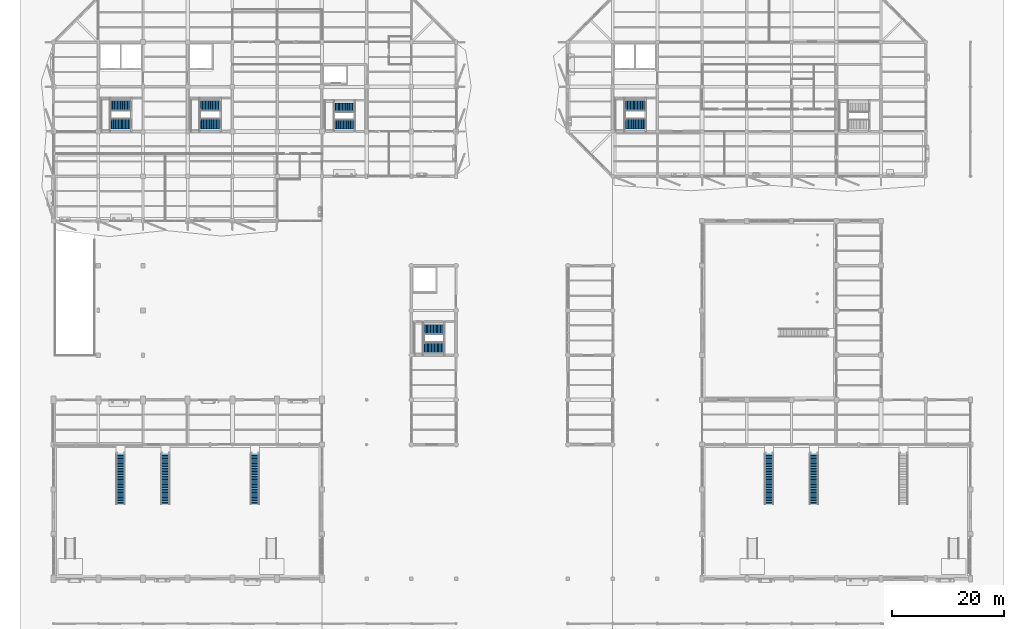
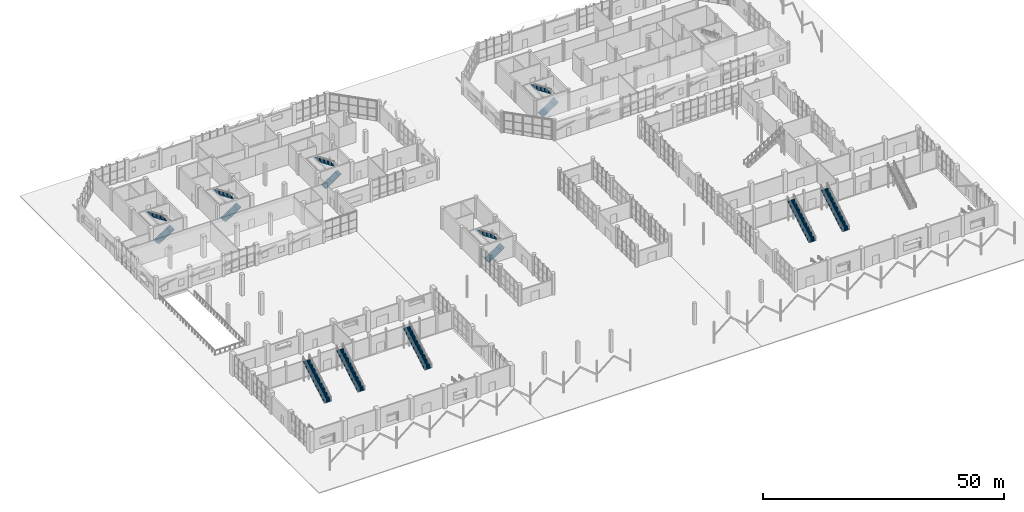
# One storey, part 106 of 123: 15 stair flights, 10 elements without a shape of their own.
"""IFC4 building model written with IfcOpenShell, lengths in metres."""

from ifc_helpers import new_model, si_unit, direction, frame, origin, place, context, subcontext, project, spatial, polyline, outline, extrude, material, type_object, element, aggregate, save


model = new_model("IFC4")

# Units and contexts
model_context = context("Model", 3, precision=1e-05, world=origin(), true_north=direction((0.0, 1.0)))
body_context = subcontext(model_context, "Body", "Model", "MODEL_VIEW")
ifc_project = project(units=[si_unit("LENGTHUNIT", "METRE"), si_unit("AREAUNIT", "SQUARE_METRE"), si_unit("VOLUMEUNIT", "CUBIC_METRE"), si_unit("PLANEANGLEUNIT", "RADIAN"), si_unit("MASSUNIT", "GRAM", prefix="KILO")], contexts=[model_context])

# Site, building, storey
site_placement = place(None, origin())
site = spatial("IfcSite", under=ifc_project, at=site_placement, CompositionType="ELEMENT")
building_placement = place(site_placement, origin())
building = spatial("IfcBuilding", under=site, at=building_placement, Name="Tenunan Teduh Sports Hall", CompositionType="ELEMENT")
storey_placement = place(building_placement, origin())
storey = spatial("IfcBuildingStorey", under=building, at=storey_placement, Name="L00", CompositionType="ELEMENT", Elevation=0.0)

# Stair, stair flights
ifc_material_1 = material(Name="Precast concrete C40/50", Category="concrete")
stair_type_1 = type_object("IfcStairType", Name="STR-CORE-54", PredefinedType="HALF_TURN_STAIR", material=ifc_material_1)
stair_1_placement = place(storey_placement, origin())
stair_1 = element("IfcStair", 1, at=stair_1_placement, inside=storey, type_object=stair_type_1, Name="STR-W1-L00", PredefinedType="HALF_TURN_STAIR")
ifc_material_2 = material(Name="Precast concrete C40/50", Category="concrete")
stair_flight_type_1 = type_object("IfcStairFlightType", Name="SFL-ST-T01", PredefinedType="STRAIGHT", material=ifc_material_2)
stair_flight_1_placement = place(storey_placement, frame((16.080078125, 95.409912109375, 0.0), z_axis=(0.0, 0.0, 1.0), x_axis=(1.0, 0.0, 0.0)))
stair_flight_1 = element("IfcStairFlight", 2, at=stair_flight_1_placement, type_object=stair_flight_type_1, Name="ST-02 flight 1", NumberOfRisers=16, NumberOfTreads=15, PredefinedType="STRAIGHT", RiserHeight=0.16875, TreadLength=0.255, context=body_context, shape_type="SweptSolid", body=[
    extrude(outline(polyline([(0.0, 0.0), (0.0, 0.168701171875), (0.2548828125, 0.168701171875), (0.2548828125, 0.33740234375), (0.510009765625, 0.33740234375), (0.510009765625, 0.50634765625), (0.764892578125, 0.50634765625), (0.764892578125, 0.675048828125), (1.02001953125, 0.675048828125), (1.02001953125, 0.84375), (1.27490234375, 0.84375), (1.27490234375, 1.012451171875), (1.530029296875, 1.012451171875), (1.530029296875, 1.18115234375), (1.784912109375, 1.18115234375), (1.784912109375, 1.35009765625), (2.0400390625, 1.35009765625), (2.0400390625, 1.518798828125), (2.294921875, 1.518798828125), (2.294921875, 1.6875), (2.550048828125, 1.6875), (2.550048828125, 1.856201171875), (2.804931640625, 1.856201171875), (2.804931640625, 2.02490234375), (3.06005859375, 2.02490234375), (3.06005859375, 2.19384765625), (3.31494140625, 2.19384765625), (3.31494140625, 2.362548828125), (3.570068359375, 2.362548828125), (3.570068359375, 2.53125), (3.824951171875, 2.53125), (3.824951171875, 2.699951171875), (3.824951171875, 2.3154296875), (0.325927734375, 0.0), (0.0, 0.0)])), frame((0.0, 0.93017578125, 0.0), z_axis=(0.0, -1.0, 0.0), x_axis=(1.0, 0.0, 0.0)), (0.0, 0.0, 1.0), 1.860107421875),
])
stair_flight_2_placement = place(storey_placement, frame((19.985107421875, 98.590087890625, 2.699951171875), z_axis=(0.0, 0.0, 1.0), x_axis=(-1.0, 0.0, 0.0)))
stair_flight_2 = element("IfcStairFlight", 3, at=stair_flight_2_placement, type_object=stair_flight_type_1, Name="ST-02 flight 2", NumberOfRisers=16, NumberOfTreads=15, PredefinedType="STRAIGHT", RiserHeight=0.16875, TreadLength=0.255, context=body_context, shape_type="SweptSolid", body=[
    extrude(outline(polyline([(0.0, 0.0), (0.0, 0.168701171875), (0.2548828125, 0.168701171875), (0.2548828125, 0.33740234375), (0.510009765625, 0.33740234375), (0.510009765625, 0.50634765625), (0.764892578125, 0.50634765625), (0.764892578125, 0.675048828125), (1.02001953125, 0.675048828125), (1.02001953125, 0.84375), (1.27490234375, 0.84375), (1.27490234375, 1.012451171875), (1.530029296875, 1.012451171875), (1.530029296875, 1.18115234375), (1.784912109375, 1.18115234375), (1.784912109375, 1.35009765625), (2.0400390625, 1.35009765625), (2.0400390625, 1.518798828125), (2.294921875, 1.518798828125), (2.294921875, 1.6875), (2.550048828125, 1.6875), (2.550048828125, 1.856201171875), (2.804931640625, 1.856201171875), (2.804931640625, 2.02490234375), (3.06005859375, 2.02490234375), (3.06005859375, 2.19384765625), (3.31494140625, 2.19384765625), (3.31494140625, 2.362548828125), (3.570068359375, 2.362548828125), (3.570068359375, 2.53125), (3.824951171875, 2.53125), (3.824951171875, 2.699951171875), (3.824951171875, 2.3154296875), (0.325927734375, 0.0), (0.0, 0.0)])), frame((0.0, 0.93017578125, 0.0), z_axis=(0.0, -1.0, 0.0), x_axis=(1.0, 0.0, 0.0)), (0.0, 0.0, 1.0), 1.860107421875),
])
aggregate(stair_1, [stair_flight_1, stair_flight_2])

stair_2_placement = place(storey_placement, origin())
stair_2 = element("IfcStair", 4, at=stair_2_placement, inside=storey, type_object=stair_type_1, Name="STR-W2-L00", PredefinedType="HALF_TURN_STAIR")
stair_flight_3_placement = place(storey_placement, frame((32.080078125, 95.409912109375, 0.0), z_axis=(0.0, 0.0, 1.0), x_axis=(1.0, 0.0, 0.0)))
stair_flight_3 = element("IfcStairFlight", 5, at=stair_flight_3_placement, type_object=stair_flight_type_1, Name="ST-07 flight 1", NumberOfRisers=16, NumberOfTreads=15, PredefinedType="STRAIGHT", RiserHeight=0.16875, TreadLength=0.255, context=body_context, shape_type="SweptSolid", body=[
    extrude(outline(polyline([(0.0, 0.0), (0.0, 0.168701171875), (0.2548828125, 0.168701171875), (0.2548828125, 0.33740234375), (0.510009765625, 0.33740234375), (0.510009765625, 0.50634765625), (0.764892578125, 0.50634765625), (0.764892578125, 0.675048828125), (1.02001953125, 0.675048828125), (1.02001953125, 0.84375), (1.27490234375, 0.84375), (1.27490234375, 1.012451171875), (1.530029296875, 1.012451171875), (1.530029296875, 1.18115234375), (1.784912109375, 1.18115234375), (1.784912109375, 1.35009765625), (2.0400390625, 1.35009765625), (2.0400390625, 1.518798828125), (2.294921875, 1.518798828125), (2.294921875, 1.6875), (2.550048828125, 1.6875), (2.550048828125, 1.856201171875), (2.804931640625, 1.856201171875), (2.804931640625, 2.02490234375), (3.06005859375, 2.02490234375), (3.06005859375, 2.19384765625), (3.31494140625, 2.19384765625), (3.31494140625, 2.362548828125), (3.570068359375, 2.362548828125), (3.570068359375, 2.53125), (3.824951171875, 2.53125), (3.824951171875, 2.699951171875), (3.824951171875, 2.3154296875), (0.325927734375, 0.0), (0.0, 0.0)])), frame((0.0, 0.93017578125, 0.0), z_axis=(0.0, -1.0, 0.0), x_axis=(1.0, 0.0, 0.0)), (0.0, 0.0, 1.0), 1.860107421875),
])
stair_flight_4_placement = place(storey_placement, frame((35.985107421875, 98.590087890625, 2.699951171875), z_axis=(0.0, 0.0, 1.0), x_axis=(-1.0, 0.0, 0.0)))
stair_flight_4 = element("IfcStairFlight", 6, at=stair_flight_4_placement, type_object=stair_flight_type_1, Name="ST-07 flight 2", NumberOfRisers=16, NumberOfTreads=15, PredefinedType="STRAIGHT", RiserHeight=0.16875, TreadLength=0.255, context=body_context, shape_type="SweptSolid", body=[
    extrude(outline(polyline([(0.0, 0.0), (0.0, 0.168701171875), (0.2548828125, 0.168701171875), (0.2548828125, 0.33740234375), (0.510009765625, 0.33740234375), (0.510009765625, 0.50634765625), (0.764892578125, 0.50634765625), (0.764892578125, 0.675048828125), (1.02001953125, 0.675048828125), (1.02001953125, 0.84375), (1.27490234375, 0.84375), (1.27490234375, 1.012451171875), (1.530029296875, 1.012451171875), (1.530029296875, 1.18115234375), (1.784912109375, 1.18115234375), (1.784912109375, 1.35009765625), (2.0400390625, 1.35009765625), (2.0400390625, 1.518798828125), (2.294921875, 1.518798828125), (2.294921875, 1.6875), (2.550048828125, 1.6875), (2.550048828125, 1.856201171875), (2.804931640625, 1.856201171875), (2.804931640625, 2.02490234375), (3.06005859375, 2.02490234375), (3.06005859375, 2.19384765625), (3.31494140625, 2.19384765625), (3.31494140625, 2.362548828125), (3.570068359375, 2.362548828125), (3.570068359375, 2.53125), (3.824951171875, 2.53125), (3.824951171875, 2.699951171875), (3.824951171875, 2.3154296875), (0.325927734375, 0.0), (0.0, 0.0)])), frame((0.0, 0.93017578125, 0.0), z_axis=(0.0, -1.0, 0.0), x_axis=(1.0, 0.0, 0.0)), (0.0, 0.0, 1.0), 1.860107421875),
])
aggregate(stair_2, [stair_flight_3, stair_flight_4])

stair_3_placement = place(storey_placement, origin())
stair_3 = element("IfcStair", 7, at=stair_3_placement, inside=storey, type_object=stair_type_1, Name="STR-E1-L00", PredefinedType="HALF_TURN_STAIR")
stair_flight_5_placement = place(storey_placement, frame((108.080078125, 95.409912109375, 0.0), z_axis=(0.0, 0.0, 1.0), x_axis=(1.0, 0.0, 0.0)))
stair_flight_5 = element("IfcStairFlight", 8, at=stair_flight_5_placement, type_object=stair_flight_type_1, Name="ST-16 flight 1", NumberOfRisers=16, NumberOfTreads=15, PredefinedType="STRAIGHT", RiserHeight=0.16875, TreadLength=0.255, context=body_context, shape_type="SweptSolid", body=[
    extrude(outline(polyline([(0.0, 0.0), (0.0, 0.168701171875), (0.2548828125, 0.168701171875), (0.2548828125, 0.33740234375), (0.510009765625, 0.33740234375), (0.510009765625, 0.50634765625), (0.764892578125, 0.50634765625), (0.764892578125, 0.675048828125), (1.02001953125, 0.675048828125), (1.02001953125, 0.84375), (1.27490234375, 0.84375), (1.27490234375, 1.012451171875), (1.530029296875, 1.012451171875), (1.530029296875, 1.18115234375), (1.784912109375, 1.18115234375), (1.784912109375, 1.35009765625), (2.0400390625, 1.35009765625), (2.0400390625, 1.518798828125), (2.294921875, 1.518798828125), (2.294921875, 1.6875), (2.550048828125, 1.6875), (2.550048828125, 1.856201171875), (2.804931640625, 1.856201171875), (2.804931640625, 2.02490234375), (3.06005859375, 2.02490234375), (3.06005859375, 2.19384765625), (3.31494140625, 2.19384765625), (3.31494140625, 2.362548828125), (3.570068359375, 2.362548828125), (3.570068359375, 2.53125), (3.824951171875, 2.53125), (3.824951171875, 2.699951171875), (3.824951171875, 2.3154296875), (0.325927734375, 0.0), (0.0, 0.0)])), frame((0.0, 0.93017578125, 0.0), z_axis=(0.0, -1.0, 0.0), x_axis=(1.0, 0.0, 0.0)), (0.0, 0.0, 1.0), 1.860107421875),
])
stair_flight_6_placement = place(storey_placement, frame((111.985107421875, 98.590087890625, 2.699951171875), z_axis=(0.0, 0.0, 1.0), x_axis=(-1.0, 0.0, 0.0)))
stair_flight_6 = element("IfcStairFlight", 9, at=stair_flight_6_placement, type_object=stair_flight_type_1, Name="ST-16 flight 2", NumberOfRisers=16, NumberOfTreads=15, PredefinedType="STRAIGHT", RiserHeight=0.16875, TreadLength=0.255, context=body_context, shape_type="SweptSolid", body=[
    extrude(outline(polyline([(0.0, 0.0), (0.0, 0.168701171875), (0.2548828125, 0.168701171875), (0.2548828125, 0.33740234375), (0.510009765625, 0.33740234375), (0.510009765625, 0.50634765625), (0.764892578125, 0.50634765625), (0.764892578125, 0.675048828125), (1.02001953125, 0.675048828125), (1.02001953125, 0.84375), (1.27490234375, 0.84375), (1.27490234375, 1.012451171875), (1.530029296875, 1.012451171875), (1.530029296875, 1.18115234375), (1.784912109375, 1.18115234375), (1.784912109375, 1.35009765625), (2.0400390625, 1.35009765625), (2.0400390625, 1.518798828125), (2.294921875, 1.518798828125), (2.294921875, 1.6875), (2.550048828125, 1.6875), (2.550048828125, 1.856201171875), (2.804931640625, 1.856201171875), (2.804931640625, 2.02490234375), (3.06005859375, 2.02490234375), (3.06005859375, 2.19384765625), (3.31494140625, 2.19384765625), (3.31494140625, 2.362548828125), (3.570068359375, 2.362548828125), (3.570068359375, 2.53125), (3.824951171875, 2.53125), (3.824951171875, 2.699951171875), (3.824951171875, 2.3154296875), (0.325927734375, 0.0), (0.0, 0.0)])), frame((0.0, 0.93017578125, 0.0), z_axis=(0.0, -1.0, 0.0), x_axis=(1.0, 0.0, 0.0)), (0.0, 0.0, 1.0), 1.860107421875),
])
aggregate(stair_3, [stair_flight_5, stair_flight_6])

stair_4_placement = place(storey_placement, origin())
stair_4 = element("IfcStair", 10, at=stair_4_placement, inside=storey, type_object=stair_type_1, Name="STR-C1-L00", PredefinedType="HALF_TURN_STAIR")
stair_flight_7_placement = place(storey_placement, frame((72.080078125, 55.409912109375, 0.0), z_axis=(0.0, 0.0, 1.0), x_axis=(1.0, 0.0, 0.0)))
stair_flight_7 = element("IfcStairFlight", 11, at=stair_flight_7_placement, type_object=stair_flight_type_1, Name="ST-22 flight 1", NumberOfRisers=16, NumberOfTreads=15, PredefinedType="STRAIGHT", RiserHeight=0.16875, TreadLength=0.255, context=body_context, shape_type="SweptSolid", body=[
    extrude(outline(polyline([(0.0, 0.0), (0.0, 0.168701171875), (0.2548828125, 0.168701171875), (0.2548828125, 0.33740234375), (0.510009765625, 0.33740234375), (0.510009765625, 0.50634765625), (0.764892578125, 0.50634765625), (0.764892578125, 0.675048828125), (1.02001953125, 0.675048828125), (1.02001953125, 0.84375), (1.27490234375, 0.84375), (1.27490234375, 1.012451171875), (1.530029296875, 1.012451171875), (1.530029296875, 1.18115234375), (1.784912109375, 1.18115234375), (1.784912109375, 1.35009765625), (2.0400390625, 1.35009765625), (2.0400390625, 1.518798828125), (2.294921875, 1.518798828125), (2.294921875, 1.6875), (2.550048828125, 1.6875), (2.550048828125, 1.856201171875), (2.804931640625, 1.856201171875), (2.804931640625, 2.02490234375), (3.06005859375, 2.02490234375), (3.06005859375, 2.19384765625), (3.31494140625, 2.19384765625), (3.31494140625, 2.362548828125), (3.570068359375, 2.362548828125), (3.570068359375, 2.53125), (3.824951171875, 2.53125), (3.824951171875, 2.699951171875), (3.824951171875, 2.3154296875), (0.325927734375, 0.0), (0.0, 0.0)])), frame((0.0, 0.93017578125, 0.0), z_axis=(0.0, -1.0, 0.0), x_axis=(1.0, 0.0, 0.0)), (0.0, 0.0, 1.0), 1.860107421875),
])
stair_flight_8_placement = place(storey_placement, frame((75.985107421875, 58.590087890625, 2.699951171875), z_axis=(0.0, 0.0, 1.0), x_axis=(-1.0, 0.0, 0.0)))
stair_flight_8 = element("IfcStairFlight", 12, at=stair_flight_8_placement, type_object=stair_flight_type_1, Name="ST-22 flight 2", NumberOfRisers=16, NumberOfTreads=15, PredefinedType="STRAIGHT", RiserHeight=0.16875, TreadLength=0.255, context=body_context, shape_type="SweptSolid", body=[
    extrude(outline(polyline([(0.0, 0.0), (0.0, 0.168701171875), (0.2548828125, 0.168701171875), (0.2548828125, 0.33740234375), (0.510009765625, 0.33740234375), (0.510009765625, 0.50634765625), (0.764892578125, 0.50634765625), (0.764892578125, 0.675048828125), (1.02001953125, 0.675048828125), (1.02001953125, 0.84375), (1.27490234375, 0.84375), (1.27490234375, 1.012451171875), (1.530029296875, 1.012451171875), (1.530029296875, 1.18115234375), (1.784912109375, 1.18115234375), (1.784912109375, 1.35009765625), (2.0400390625, 1.35009765625), (2.0400390625, 1.518798828125), (2.294921875, 1.518798828125), (2.294921875, 1.6875), (2.550048828125, 1.6875), (2.550048828125, 1.856201171875), (2.804931640625, 1.856201171875), (2.804931640625, 2.02490234375), (3.06005859375, 2.02490234375), (3.06005859375, 2.19384765625), (3.31494140625, 2.19384765625), (3.31494140625, 2.362548828125), (3.570068359375, 2.362548828125), (3.570068359375, 2.53125), (3.824951171875, 2.53125), (3.824951171875, 2.699951171875), (3.824951171875, 2.3154296875), (0.325927734375, 0.0), (0.0, 0.0)])), frame((0.0, 0.93017578125, 0.0), z_axis=(0.0, -1.0, 0.0), x_axis=(1.0, 0.0, 0.0)), (0.0, 0.0, 1.0), 1.860107421875),
])
aggregate(stair_4, [stair_flight_7, stair_flight_8])

ifc_material_3 = material(Name="Precast concrete C40/50", Category="concrete")
stair_type_2 = type_object("IfcStairType", Name="STR-CORE-42", PredefinedType="HALF_TURN_STAIR", material=ifc_material_3)
stair_5_placement = place(storey_placement, origin())
stair_5 = element("IfcStair", 13, at=stair_5_placement, inside=storey, type_object=stair_type_2, Name="STR-W3-L00", PredefinedType="HALF_TURN_STAIR")
ifc_material_4 = material(Name="Precast concrete C40/50", Category="concrete")
stair_flight_type_2 = type_object("IfcStairFlightType", Name="SFL-ST-T02", PredefinedType="STRAIGHT", material=ifc_material_4)
stair_flight_9_placement = place(storey_placement, frame((56.080078125, 95.320068359375, 0.0), z_axis=(0.0, 0.0, 1.0), x_axis=(1.0, 0.0, 0.0)))
stair_flight_9 = element("IfcStairFlight", 14, at=stair_flight_9_placement, type_object=stair_flight_type_2, Name="ST-12 flight 1", NumberOfRisers=16, NumberOfTreads=15, PredefinedType="STRAIGHT", RiserHeight=0.16875, TreadLength=0.255, context=body_context, shape_type="SweptSolid", body=[
    extrude(outline(polyline([(0.0, 0.0), (0.0, 0.168701171875), (0.2548828125, 0.168701171875), (0.2548828125, 0.33740234375), (0.510009765625, 0.33740234375), (0.510009765625, 0.50634765625), (0.764892578125, 0.50634765625), (0.764892578125, 0.675048828125), (1.02001953125, 0.675048828125), (1.02001953125, 0.84375), (1.27490234375, 0.84375), (1.27490234375, 1.012451171875), (1.530029296875, 1.012451171875), (1.530029296875, 1.18115234375), (1.784912109375, 1.18115234375), (1.784912109375, 1.35009765625), (2.0400390625, 1.35009765625), (2.0400390625, 1.518798828125), (2.294921875, 1.518798828125), (2.294921875, 1.6875), (2.550048828125, 1.6875), (2.550048828125, 1.856201171875), (2.804931640625, 1.856201171875), (2.804931640625, 2.02490234375), (3.06005859375, 2.02490234375), (3.06005859375, 2.19384765625), (3.31494140625, 2.19384765625), (3.31494140625, 2.362548828125), (3.570068359375, 2.362548828125), (3.570068359375, 2.53125), (3.824951171875, 2.53125), (3.824951171875, 2.699951171875), (3.824951171875, 2.3154296875), (0.325927734375, 0.0), (0.0, 0.0)])), frame((0.0, 0.83984375, 0.0), z_axis=(0.0, -1.0, 0.0), x_axis=(1.0, 0.0, 0.0)), (0.0, 0.0, 1.0), 1.679931640625),
])
stair_flight_10_placement = place(storey_placement, frame((59.985107421875, 98.280029296875, 2.699951171875), z_axis=(0.0, 0.0, 1.0), x_axis=(-1.0, 0.0, 0.0)))
stair_flight_10 = element("IfcStairFlight", 15, at=stair_flight_10_placement, type_object=stair_flight_type_2, Name="ST-12 flight 2", NumberOfRisers=16, NumberOfTreads=15, PredefinedType="STRAIGHT", RiserHeight=0.16875, TreadLength=0.255, context=body_context, shape_type="SweptSolid", body=[
    extrude(outline(polyline([(0.0, 0.0), (0.0, 0.168701171875), (0.2548828125, 0.168701171875), (0.2548828125, 0.33740234375), (0.510009765625, 0.33740234375), (0.510009765625, 0.50634765625), (0.764892578125, 0.50634765625), (0.764892578125, 0.675048828125), (1.02001953125, 0.675048828125), (1.02001953125, 0.84375), (1.27490234375, 0.84375), (1.27490234375, 1.012451171875), (1.530029296875, 1.012451171875), (1.530029296875, 1.18115234375), (1.784912109375, 1.18115234375), (1.784912109375, 1.35009765625), (2.0400390625, 1.35009765625), (2.0400390625, 1.518798828125), (2.294921875, 1.518798828125), (2.294921875, 1.6875), (2.550048828125, 1.6875), (2.550048828125, 1.856201171875), (2.804931640625, 1.856201171875), (2.804931640625, 2.02490234375), (3.06005859375, 2.02490234375), (3.06005859375, 2.19384765625), (3.31494140625, 2.19384765625), (3.31494140625, 2.362548828125), (3.570068359375, 2.362548828125), (3.570068359375, 2.53125), (3.824951171875, 2.53125), (3.824951171875, 2.699951171875), (3.824951171875, 2.3154296875), (0.325927734375, 0.0), (0.0, 0.0)])), frame((0.0, 0.83984375, 0.0), z_axis=(0.0, -1.0, 0.0), x_axis=(1.0, 0.0, 0.0)), (0.0, 0.0, 1.0), 1.679931640625),
])
aggregate(stair_5, [stair_flight_9, stair_flight_10])

# Stair, stair flight
ifc_material_5 = material(Name="Precast concrete C40/50", Category="concrete")
stair_type_3 = type_object("IfcStairType", Name="STR-VOM-E", PredefinedType="STRAIGHT_RUN_STAIR", material=ifc_material_5)
stair_6_placement = place(storey_placement, origin())
stair_6 = element("IfcStair", 16, at=stair_6_placement, inside=storey, type_object=stair_type_3, Name="STR-VOM-V1A", PredefinedType="STRAIGHT_RUN_STAIR")
ifc_material_6 = material(Name="Precast concrete C40/50", Category="concrete")
stair_flight_type_3 = type_object("IfcStairFlightType", Name="SFL-ST-T03", PredefinedType="STRAIGHT", material=ifc_material_6)
stair_flight_11_placement = place(storey_placement, frame((134.0, 27.389892578125, 0.0), z_axis=(0.0, 0.0, 1.0), x_axis=(0.0, 1.0, 0.0)))
stair_flight_11 = element("IfcStairFlight", 17, at=stair_flight_11_placement, type_object=stair_flight_type_3, Name="ST-23 flight 1", NumberOfRisers=32, NumberOfTreads=31, PredefinedType="STRAIGHT", RiserHeight=0.16875, TreadLength=0.29, context=body_context, shape_type="SweptSolid", body=[
    extrude(outline(polyline([(0.0, 0.0), (0.0, 0.168701171875), (0.2900390625, 0.168701171875), (0.2900390625, 0.33740234375), (0.580078125, 0.33740234375), (0.580078125, 0.50634765625), (0.8701171875, 0.50634765625), (0.8701171875, 0.675048828125), (1.159912109375, 0.675048828125), (1.159912109375, 0.84375), (1.449951171875, 0.84375), (1.449951171875, 1.012451171875), (1.739990234375, 1.012451171875), (1.739990234375, 1.18115234375), (2.030029296875, 1.18115234375), (2.030029296875, 1.35009765625), (2.320068359375, 1.35009765625), (2.320068359375, 1.518798828125), (2.610107421875, 1.518798828125), (2.610107421875, 1.6875), (2.89990234375, 1.6875), (2.89990234375, 1.856201171875), (3.18994140625, 1.856201171875), (3.18994140625, 2.02490234375), (3.47998046875, 2.02490234375), (3.47998046875, 2.19384765625), (3.77001953125, 2.19384765625), (3.77001953125, 2.362548828125), (4.06005859375, 2.362548828125), (4.06005859375, 2.53125), (4.35009765625, 2.53125), (4.35009765625, 2.699951171875), (4.639892578125, 2.699951171875), (4.639892578125, 2.86865234375), (4.929931640625, 2.86865234375), (4.929931640625, 3.03759765625), (5.219970703125, 3.03759765625), (5.219970703125, 3.206298828125), (5.510009765625, 3.206298828125), (5.510009765625, 3.375), (5.800048828125, 3.375), (5.800048828125, 3.543701171875), (6.090087890625, 3.543701171875), (6.090087890625, 3.71240234375), (6.3798828125, 3.71240234375), (6.3798828125, 3.88134765625), (6.669921875, 3.88134765625), (6.669921875, 4.050048828125), (6.9599609375, 4.050048828125), (6.9599609375, 4.21875), (7.25, 4.21875), (7.25, 4.387451171875), (7.5400390625, 4.387451171875), (7.5400390625, 4.55615234375), (7.830078125, 4.55615234375), (7.830078125, 4.72509765625), (8.1201171875, 4.72509765625), (8.1201171875, 4.893798828125), (8.409912109375, 4.893798828125), (8.409912109375, 5.0625), (8.699951171875, 5.0625), (8.699951171875, 5.231201171875), (8.989990234375, 5.231201171875), (8.989990234375, 5.39990234375), (8.989990234375, 5.0), (0.3974609375, 0.0), (0.0, 0.0)])), frame((0.0, 0.800048828125, 0.0), z_axis=(0.0, -1.0, 0.0), x_axis=(1.0, 0.0, 0.0)), (0.0, 0.0, 1.0), 1.60009765625),
])
aggregate(stair_6, [stair_flight_11])

stair_7_placement = place(storey_placement, origin())
stair_7 = element("IfcStair", 18, at=stair_7_placement, inside=storey, type_object=stair_type_3, Name="STR-VOM-V1M", PredefinedType="STRAIGHT_RUN_STAIR")
stair_flight_12_placement = place(storey_placement, frame((142.0, 27.389892578125, 0.0), z_axis=(0.0, 0.0, 1.0), x_axis=(0.0, 1.0, 0.0)))
stair_flight_12 = element("IfcStairFlight", 19, at=stair_flight_12_placement, type_object=stair_flight_type_3, Name="ST-24 flight 1", NumberOfRisers=32, NumberOfTreads=31, PredefinedType="STRAIGHT", RiserHeight=0.16875, TreadLength=0.29, context=body_context, shape_type="SweptSolid", body=[
    extrude(outline(polyline([(0.0, 0.0), (0.0, 0.168701171875), (0.2900390625, 0.168701171875), (0.2900390625, 0.33740234375), (0.580078125, 0.33740234375), (0.580078125, 0.50634765625), (0.8701171875, 0.50634765625), (0.8701171875, 0.675048828125), (1.159912109375, 0.675048828125), (1.159912109375, 0.84375), (1.449951171875, 0.84375), (1.449951171875, 1.012451171875), (1.739990234375, 1.012451171875), (1.739990234375, 1.18115234375), (2.030029296875, 1.18115234375), (2.030029296875, 1.35009765625), (2.320068359375, 1.35009765625), (2.320068359375, 1.518798828125), (2.610107421875, 1.518798828125), (2.610107421875, 1.6875), (2.89990234375, 1.6875), (2.89990234375, 1.856201171875), (3.18994140625, 1.856201171875), (3.18994140625, 2.02490234375), (3.47998046875, 2.02490234375), (3.47998046875, 2.19384765625), (3.77001953125, 2.19384765625), (3.77001953125, 2.362548828125), (4.06005859375, 2.362548828125), (4.06005859375, 2.53125), (4.35009765625, 2.53125), (4.35009765625, 2.699951171875), (4.639892578125, 2.699951171875), (4.639892578125, 2.86865234375), (4.929931640625, 2.86865234375), (4.929931640625, 3.03759765625), (5.219970703125, 3.03759765625), (5.219970703125, 3.206298828125), (5.510009765625, 3.206298828125), (5.510009765625, 3.375), (5.800048828125, 3.375), (5.800048828125, 3.543701171875), (6.090087890625, 3.543701171875), (6.090087890625, 3.71240234375), (6.3798828125, 3.71240234375), (6.3798828125, 3.88134765625), (6.669921875, 3.88134765625), (6.669921875, 4.050048828125), (6.9599609375, 4.050048828125), (6.9599609375, 4.21875), (7.25, 4.21875), (7.25, 4.387451171875), (7.5400390625, 4.387451171875), (7.5400390625, 4.55615234375), (7.830078125, 4.55615234375), (7.830078125, 4.72509765625), (8.1201171875, 4.72509765625), (8.1201171875, 4.893798828125), (8.409912109375, 4.893798828125), (8.409912109375, 5.0625), (8.699951171875, 5.0625), (8.699951171875, 5.231201171875), (8.989990234375, 5.231201171875), (8.989990234375, 5.39990234375), (8.989990234375, 5.0), (0.3974609375, 0.0), (0.0, 0.0)])), frame((0.0, 0.800048828125, 0.0), z_axis=(0.0, -1.0, 0.0), x_axis=(1.0, 0.0, 0.0)), (0.0, 0.0, 1.0), 1.60009765625),
])
aggregate(stair_7, [stair_flight_12])

ifc_material_7 = material(Name="Precast concrete C40/50", Category="concrete")
stair_type_4 = type_object("IfcStairType", Name="STR-VOM-W", PredefinedType="STRAIGHT_RUN_STAIR", material=ifc_material_7)
stair_8_placement = place(storey_placement, origin())
stair_8 = element("IfcStair", 20, at=stair_8_placement, inside=storey, type_object=stair_type_4, Name="STR-VOM-V2A", PredefinedType="STRAIGHT_RUN_STAIR")
ifc_material_8 = material(Name="Precast concrete C40/50", Category="concrete")
stair_flight_type_4 = type_object("IfcStairFlightType", Name="SFL-ST-T04", PredefinedType="STRAIGHT", material=ifc_material_8)
stair_flight_13_placement = place(storey_placement, frame((18.0, 27.389892578125, 0.0), z_axis=(0.0, 0.0, 1.0), x_axis=(0.0, 1.0, 0.0)))
stair_flight_13 = element("IfcStairFlight", 21, at=stair_flight_13_placement, type_object=stair_flight_type_4, Name="ST-26 flight 1", NumberOfRisers=32, NumberOfTreads=31, PredefinedType="STRAIGHT", RiserHeight=0.16875, TreadLength=0.29, context=body_context, shape_type="SweptSolid", body=[
    extrude(outline(polyline([(0.0, 0.0), (0.0, 0.168701171875), (0.2900390625, 0.168701171875), (0.2900390625, 0.33740234375), (0.580078125, 0.33740234375), (0.580078125, 0.50634765625), (0.8701171875, 0.50634765625), (0.8701171875, 0.675048828125), (1.159912109375, 0.675048828125), (1.159912109375, 0.84375), (1.449951171875, 0.84375), (1.449951171875, 1.012451171875), (1.739990234375, 1.012451171875), (1.739990234375, 1.18115234375), (2.030029296875, 1.18115234375), (2.030029296875, 1.35009765625), (2.320068359375, 1.35009765625), (2.320068359375, 1.518798828125), (2.610107421875, 1.518798828125), (2.610107421875, 1.6875), (2.89990234375, 1.6875), (2.89990234375, 1.856201171875), (3.18994140625, 1.856201171875), (3.18994140625, 2.02490234375), (3.47998046875, 2.02490234375), (3.47998046875, 2.19384765625), (3.77001953125, 2.19384765625), (3.77001953125, 2.362548828125), (4.06005859375, 2.362548828125), (4.06005859375, 2.53125), (4.35009765625, 2.53125), (4.35009765625, 2.699951171875), (4.639892578125, 2.699951171875), (4.639892578125, 2.86865234375), (4.929931640625, 2.86865234375), (4.929931640625, 3.03759765625), (5.219970703125, 3.03759765625), (5.219970703125, 3.206298828125), (5.510009765625, 3.206298828125), (5.510009765625, 3.375), (5.800048828125, 3.375), (5.800048828125, 3.543701171875), (6.090087890625, 3.543701171875), (6.090087890625, 3.71240234375), (6.3798828125, 3.71240234375), (6.3798828125, 3.88134765625), (6.669921875, 3.88134765625), (6.669921875, 4.050048828125), (6.9599609375, 4.050048828125), (6.9599609375, 4.21875), (7.25, 4.21875), (7.25, 4.387451171875), (7.5400390625, 4.387451171875), (7.5400390625, 4.55615234375), (7.830078125, 4.55615234375), (7.830078125, 4.72509765625), (8.1201171875, 4.72509765625), (8.1201171875, 4.893798828125), (8.409912109375, 4.893798828125), (8.409912109375, 5.0625), (8.699951171875, 5.0625), (8.699951171875, 5.231201171875), (8.989990234375, 5.231201171875), (8.989990234375, 5.39990234375), (8.989990234375, 5.0), (0.3974609375, 0.0), (0.0, 0.0)])), frame((0.0, 0.800048828125, 0.0), z_axis=(0.0, -1.0, 0.0), x_axis=(1.0, 0.0, 0.0)), (0.0, 0.0, 1.0), 1.60009765625),
])
aggregate(stair_8, [stair_flight_13])

stair_9_placement = place(storey_placement, origin())
stair_9 = element("IfcStair", 22, at=stair_9_placement, inside=storey, type_object=stair_type_4, Name="STR-VOM-V2M", PredefinedType="STRAIGHT_RUN_STAIR")
stair_flight_14_placement = place(storey_placement, frame((26.0, 27.389892578125, 0.0), z_axis=(0.0, 0.0, 1.0), x_axis=(0.0, 1.0, 0.0)))
stair_flight_14 = element("IfcStairFlight", 23, at=stair_flight_14_placement, type_object=stair_flight_type_4, Name="ST-27 flight 1", NumberOfRisers=32, NumberOfTreads=31, PredefinedType="STRAIGHT", RiserHeight=0.16875, TreadLength=0.29, context=body_context, shape_type="SweptSolid", body=[
    extrude(outline(polyline([(0.0, 0.0), (0.0, 0.168701171875), (0.2900390625, 0.168701171875), (0.2900390625, 0.33740234375), (0.580078125, 0.33740234375), (0.580078125, 0.50634765625), (0.8701171875, 0.50634765625), (0.8701171875, 0.675048828125), (1.159912109375, 0.675048828125), (1.159912109375, 0.84375), (1.449951171875, 0.84375), (1.449951171875, 1.012451171875), (1.739990234375, 1.012451171875), (1.739990234375, 1.18115234375), (2.030029296875, 1.18115234375), (2.030029296875, 1.35009765625), (2.320068359375, 1.35009765625), (2.320068359375, 1.518798828125), (2.610107421875, 1.518798828125), (2.610107421875, 1.6875), (2.89990234375, 1.6875), (2.89990234375, 1.856201171875), (3.18994140625, 1.856201171875), (3.18994140625, 2.02490234375), (3.47998046875, 2.02490234375), (3.47998046875, 2.19384765625), (3.77001953125, 2.19384765625), (3.77001953125, 2.362548828125), (4.06005859375, 2.362548828125), (4.06005859375, 2.53125), (4.35009765625, 2.53125), (4.35009765625, 2.699951171875), (4.639892578125, 2.699951171875), (4.639892578125, 2.86865234375), (4.929931640625, 2.86865234375), (4.929931640625, 3.03759765625), (5.219970703125, 3.03759765625), (5.219970703125, 3.206298828125), (5.510009765625, 3.206298828125), (5.510009765625, 3.375), (5.800048828125, 3.375), (5.800048828125, 3.543701171875), (6.090087890625, 3.543701171875), (6.090087890625, 3.71240234375), (6.3798828125, 3.71240234375), (6.3798828125, 3.88134765625), (6.669921875, 3.88134765625), (6.669921875, 4.050048828125), (6.9599609375, 4.050048828125), (6.9599609375, 4.21875), (7.25, 4.21875), (7.25, 4.387451171875), (7.5400390625, 4.387451171875), (7.5400390625, 4.55615234375), (7.830078125, 4.55615234375), (7.830078125, 4.72509765625), (8.1201171875, 4.72509765625), (8.1201171875, 4.893798828125), (8.409912109375, 4.893798828125), (8.409912109375, 5.0625), (8.699951171875, 5.0625), (8.699951171875, 5.231201171875), (8.989990234375, 5.231201171875), (8.989990234375, 5.39990234375), (8.989990234375, 5.0), (0.3974609375, 0.0), (0.0, 0.0)])), frame((0.0, 0.800048828125, 0.0), z_axis=(0.0, -1.0, 0.0), x_axis=(1.0, 0.0, 0.0)), (0.0, 0.0, 1.0), 1.60009765625),
])
aggregate(stair_9, [stair_flight_14])

stair_10_placement = place(storey_placement, origin())
stair_10 = element("IfcStair", 24, at=stair_10_placement, inside=storey, type_object=stair_type_4, Name="STR-VOM-V2B", PredefinedType="STRAIGHT_RUN_STAIR")
stair_flight_15_placement = place(storey_placement, frame((42.0, 27.389892578125, 0.0), z_axis=(0.0, 0.0, 1.0), x_axis=(0.0, 1.0, 0.0)))
stair_flight_15 = element("IfcStairFlight", 25, at=stair_flight_15_placement, type_object=stair_flight_type_4, Name="ST-28 flight 1", NumberOfRisers=32, NumberOfTreads=31, PredefinedType="STRAIGHT", RiserHeight=0.16875, TreadLength=0.29, context=body_context, shape_type="SweptSolid", body=[
    extrude(outline(polyline([(0.0, 0.0), (0.0, 0.168701171875), (0.2900390625, 0.168701171875), (0.2900390625, 0.33740234375), (0.580078125, 0.33740234375), (0.580078125, 0.50634765625), (0.8701171875, 0.50634765625), (0.8701171875, 0.675048828125), (1.159912109375, 0.675048828125), (1.159912109375, 0.84375), (1.449951171875, 0.84375), (1.449951171875, 1.012451171875), (1.739990234375, 1.012451171875), (1.739990234375, 1.18115234375), (2.030029296875, 1.18115234375), (2.030029296875, 1.35009765625), (2.320068359375, 1.35009765625), (2.320068359375, 1.518798828125), (2.610107421875, 1.518798828125), (2.610107421875, 1.6875), (2.89990234375, 1.6875), (2.89990234375, 1.856201171875), (3.18994140625, 1.856201171875), (3.18994140625, 2.02490234375), (3.47998046875, 2.02490234375), (3.47998046875, 2.19384765625), (3.77001953125, 2.19384765625), (3.77001953125, 2.362548828125), (4.06005859375, 2.362548828125), (4.06005859375, 2.53125), (4.35009765625, 2.53125), (4.35009765625, 2.699951171875), (4.639892578125, 2.699951171875), (4.639892578125, 2.86865234375), (4.929931640625, 2.86865234375), (4.929931640625, 3.03759765625), (5.219970703125, 3.03759765625), (5.219970703125, 3.206298828125), (5.510009765625, 3.206298828125), (5.510009765625, 3.375), (5.800048828125, 3.375), (5.800048828125, 3.543701171875), (6.090087890625, 3.543701171875), (6.090087890625, 3.71240234375), (6.3798828125, 3.71240234375), (6.3798828125, 3.88134765625), (6.669921875, 3.88134765625), (6.669921875, 4.050048828125), (6.9599609375, 4.050048828125), (6.9599609375, 4.21875), (7.25, 4.21875), (7.25, 4.387451171875), (7.5400390625, 4.387451171875), (7.5400390625, 4.55615234375), (7.830078125, 4.55615234375), (7.830078125, 4.72509765625), (8.1201171875, 4.72509765625), (8.1201171875, 4.893798828125), (8.409912109375, 4.893798828125), (8.409912109375, 5.0625), (8.699951171875, 5.0625), (8.699951171875, 5.231201171875), (8.989990234375, 5.231201171875), (8.989990234375, 5.39990234375), (8.989990234375, 5.0), (0.3974609375, 0.0), (0.0, 0.0)])), frame((0.0, 0.800048828125, 0.0), z_axis=(0.0, -1.0, 0.0), x_axis=(1.0, 0.0, 0.0)), (0.0, 0.0, 1.0), 1.60009765625),
])
aggregate(stair_10, [stair_flight_15])

save(model, "model.ifc")
